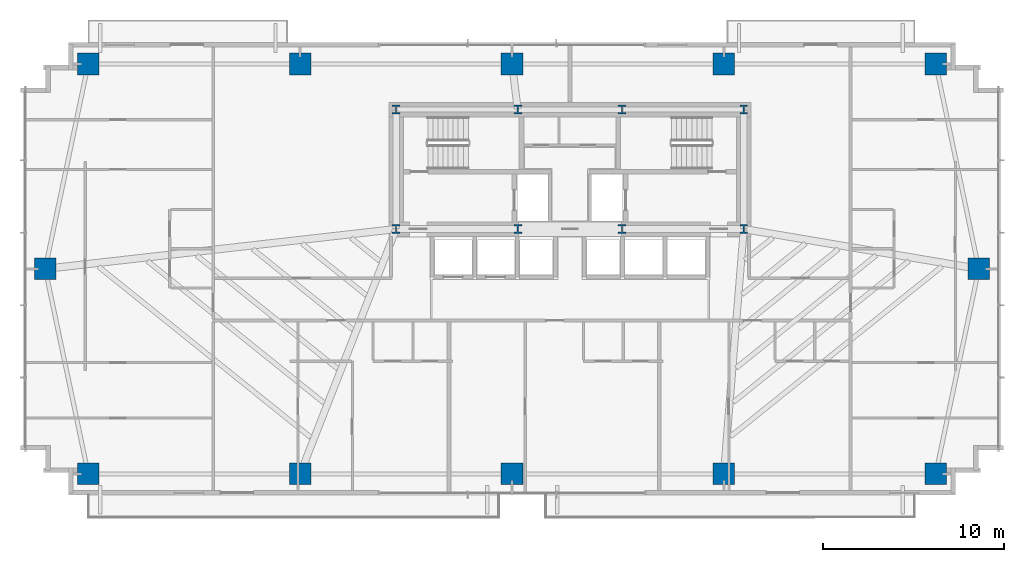
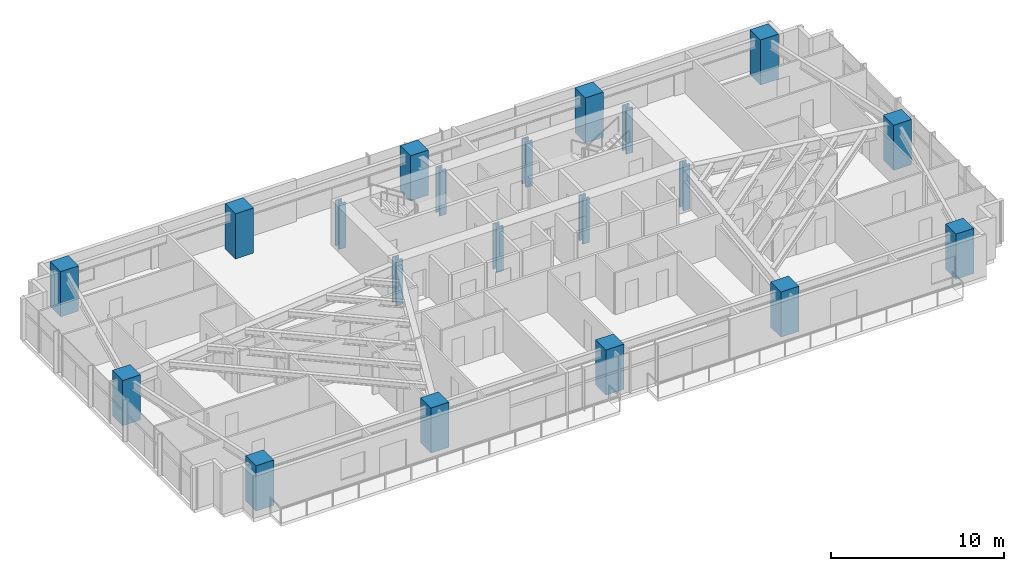
# One storey, part 1 of 25: 20 columns.
"""IFC4 building model written with IfcOpenShell, lengths in metres."""

from ifc_helpers import new_model, si_unit, direction, frame, origin, origin_2d, place, context, subcontext, project, spatial, rectangle, i_section, extrude, source, transform, mapped, material, material_profile, profile_set, type_object, type_shapes, element, save


model = new_model("IFC4")

# Units and contexts
model_context = context("Model", 3, precision=1e-05, world=origin(), true_north=direction((0.0, 1.0)))
body_context = subcontext(model_context, "Body", "Model", "MODEL_VIEW")
ifc_project = project(units=[si_unit("LENGTHUNIT", "METRE"), si_unit("AREAUNIT", "SQUARE_METRE"), si_unit("VOLUMEUNIT", "CUBIC_METRE"), si_unit("PLANEANGLEUNIT", "RADIAN"), si_unit("MASSUNIT", "GRAM", prefix="KILO")], contexts=[model_context])

# Site, building, storey
site_placement = place(None, origin())
site = spatial("IfcSite", under=ifc_project, at=site_placement, CompositionType="ELEMENT")
building_placement = place(site_placement, origin())
building = spatial("IfcBuilding", under=site, at=building_placement, Name="Astriad Promenade Condominiums", CompositionType="ELEMENT")
storey_placement = place(building_placement, frame((0.0, 0.0, 58.199951171875)))
storey = spatial("IfcBuildingStorey", under=building, at=storey_placement, Name="L16", CompositionType="ELEMENT", Elevation=58.199951171875)

# Columns
ifc_material_1 = material(Name="Steel ASTM A992 Grade 50", Category="steel")
ifc_material_profile_1 = material_profile(ifc_material_1, i_section(OverallWidth=0.43701171875, OverallDepth=0.51416015625, WebThickness=0.060546875, FlangeThickness=0.096923828125, FilletRadius=0.017822265625, at=origin_2d()), Name="W14X550")
ifc_profile_set_1 = profile_set([ifc_material_profile_1], Name="Steel ASTM A992 Grade 50")
column_type_1 = type_object("IfcColumnType", Name="STEEL CORE PILASTER W14X550", PredefinedType="PILASTER", material=ifc_profile_set_1)
shared_shape_1 = source(origin(), body_context, "Body", "SweptSolid", [
    extrude(i_section(OverallWidth=0.43701171875, OverallDepth=0.51416015625, WebThickness=0.060546875, FlangeThickness=0.096923828125, FilletRadius=0.017822265625, at=origin_2d()), origin(), (0.0, 0.0, 1.0), 3.196044921875),
])
type_shapes(column_type_1, [shared_shape_1])
for number, where, z_axis, x_axis, name in (
    (1, (26.39990234375, 17.39990234375, 0.001953125), (0.0, 0.0, 1.0), (1.0, 0.0, 0.0), "Core Pilaster Column CP1 (L16)"),
    (2, (33.1201171875, 17.39990234375, 0.001953125), (0.0, 0.0, 1.0), (1.0, 0.0, 0.0), "Core Pilaster Column CP2 (L16)"),
    (3, (38.8798828125, 17.39990234375, 0.001953125), (0.0, 0.0, 1.0), (1.0, 0.0, 0.0), "Core Pilaster Column CP3 (L16)"),
    (4, (45.60009765625, 17.39990234375, 0.001953125), (0.0, 0.0, 1.0), (1.0, 0.0, 0.0), "Core Pilaster Column CP4 (L16)"),
    (5, (26.39990234375, 24.0, 0.001953125), (0.0, 0.0, 1.0), (1.0, 0.0, 0.0), "Core Pilaster Column CP5 (L16)"),
    (6, (33.1201171875, 24.0, 0.001953125), (0.0, 0.0, 1.0), (1.0, 0.0, 0.0), "Core Pilaster Column CP6 (L16)"),
    (7, (38.8798828125, 24.0, 0.001953125), (0.0, 0.0, 1.0), (1.0, 0.0, 0.0), "Core Pilaster Column CP7 (L16)"),
    (8, (45.60009765625, 24.0, 0.001953125), (0.0, 0.0, 1.0), (1.0, 0.0, 0.0), "Core Pilaster Column CP8 (L16)"),
):
    element("IfcColumn", number, at=place(storey_placement, frame(where, z_axis=z_axis, x_axis=x_axis)), inside=storey, type_object=column_type_1, Name=name, PredefinedType="PILASTER", context=body_context, shape_type="MappedRepresentation", body=[
        mapped(shared_shape_1, transform((0.0, 0.0, 0.0), scale=1.0)),
    ])
ifc_material_2 = material(Name="Concrete C80/95", Category="concrete")
ifc_material_profile_2 = material_profile(ifc_material_2, rectangle(XDim=1.199951171875, YDim=1.199951171875, at=origin_2d()), Name="RC-COL-1200X1200")
ifc_profile_set_2 = profile_set([ifc_material_profile_2], Name="Concrete C80/95")
column_type_2 = type_object("IfcColumnType", Name="CONCRETE MEGA COLUMN 1200X1200", PredefinedType="COLUMN", material=ifc_profile_set_2)
shared_shape_2 = source(origin(), body_context, "Body", "SweptSolid", [
    extrude(rectangle(XDim=1.199951171875, YDim=1.199951171875, at=origin_2d()), origin(), (0.0, 0.0, 1.0), 3.196044921875),
])
type_shapes(column_type_2, [shared_shape_2])
for number, where, z_axis, x_axis, name in (
    (9, (9.39990234375, 3.8798828125, 0.001953125), (0.0, 0.0, 1.0), (1.0, 0.0, 0.0), "Perimeter Column PC01 (L16)"),
    (10, (21.10009765625, 3.8798828125, 0.001953125), (0.0, 0.0, 1.0), (1.0, 0.0, 0.0), "Perimeter Column PC02 (L16)"),
    (11, (32.800048828125, 3.8798828125, 0.001953125), (0.0, 0.0, 1.0), (1.0, 0.0, 0.0), "Perimeter Column PC03 (L16)"),
    (12, (44.5, 3.8798828125, 0.001953125), (0.0, 0.0, 1.0), (1.0, 0.0, 0.0), "Perimeter Column PC04 (L16)"),
    (13, (56.199951171875, 3.8798828125, 0.001953125), (0.0, 0.0, 1.0), (1.0, 0.0, 0.0), "Perimeter Column PC05 (L16)"),
    (14, (9.39990234375, 26.52001953125, 0.001953125), (0.0, 0.0, 1.0), (1.0, 0.0, 0.0), "Perimeter Column PC06 (L16)"),
    (15, (21.10009765625, 26.52001953125, 0.001953125), (0.0, 0.0, 1.0), (1.0, 0.0, 0.0), "Perimeter Column PC07 (L16)"),
    (16, (32.800048828125, 26.52001953125, 0.001953125), (0.0, 0.0, 1.0), (1.0, 0.0, 0.0), "Perimeter Column PC08 (L16)"),
    (17, (44.5, 26.52001953125, 0.001953125), (0.0, 0.0, 1.0), (1.0, 0.0, 0.0), "Perimeter Column PC09 (L16)"),
    (18, (56.199951171875, 26.52001953125, 0.001953125), (0.0, 0.0, 1.0), (1.0, 0.0, 0.0), "Perimeter Column PC10 (L16)"),
    (19, (7.02001953125, 15.199951171875, 0.001953125), (0.0, 0.0, 1.0), (1.0, 0.0, 0.0), "Perimeter Column PC11 (L16)"),
    (20, (58.580078125, 15.199951171875, 0.001953125), (0.0, 0.0, 1.0), (1.0, 0.0, 0.0), "Perimeter Column PC12 (L16)"),
):
    element("IfcColumn", number, at=place(storey_placement, frame(where, z_axis=z_axis, x_axis=x_axis)), inside=storey, type_object=column_type_2, Name=name, PredefinedType="COLUMN", context=body_context, shape_type="MappedRepresentation", body=[
        mapped(shared_shape_2, transform((0.0, 0.0, 0.0), scale=1.0)),
    ])

save(model, "model.ifc")
